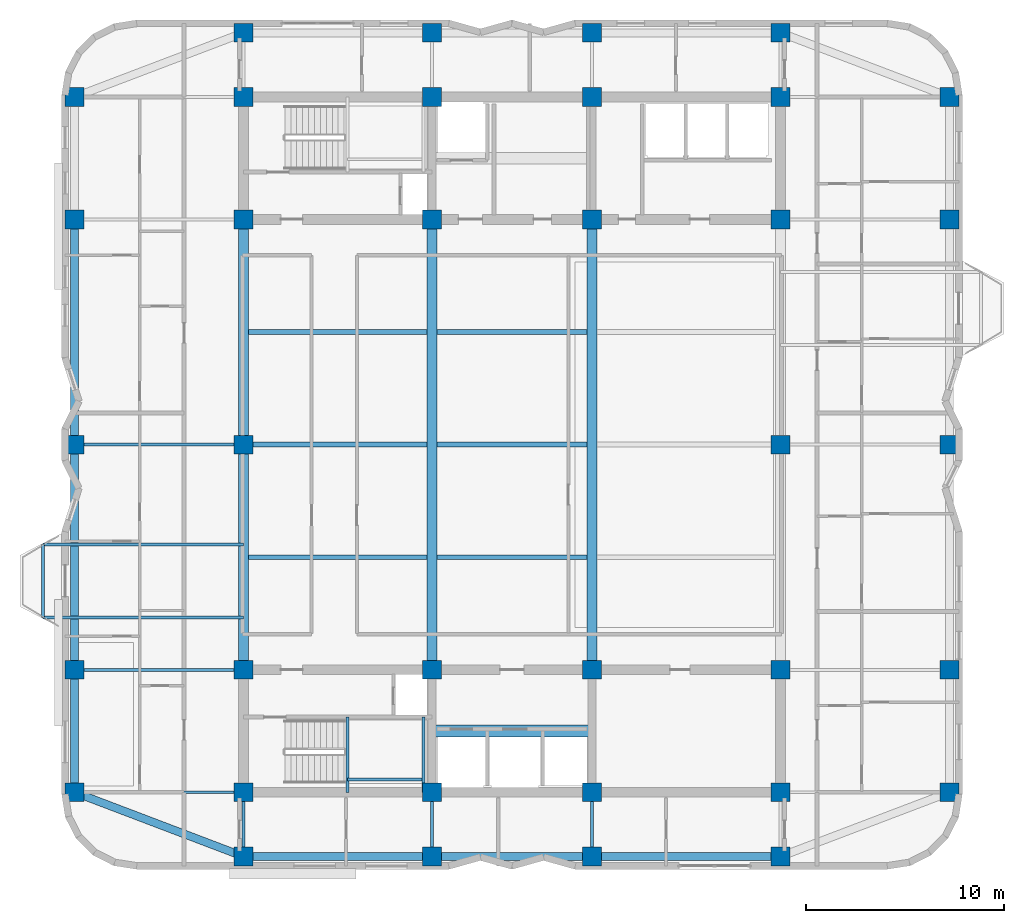
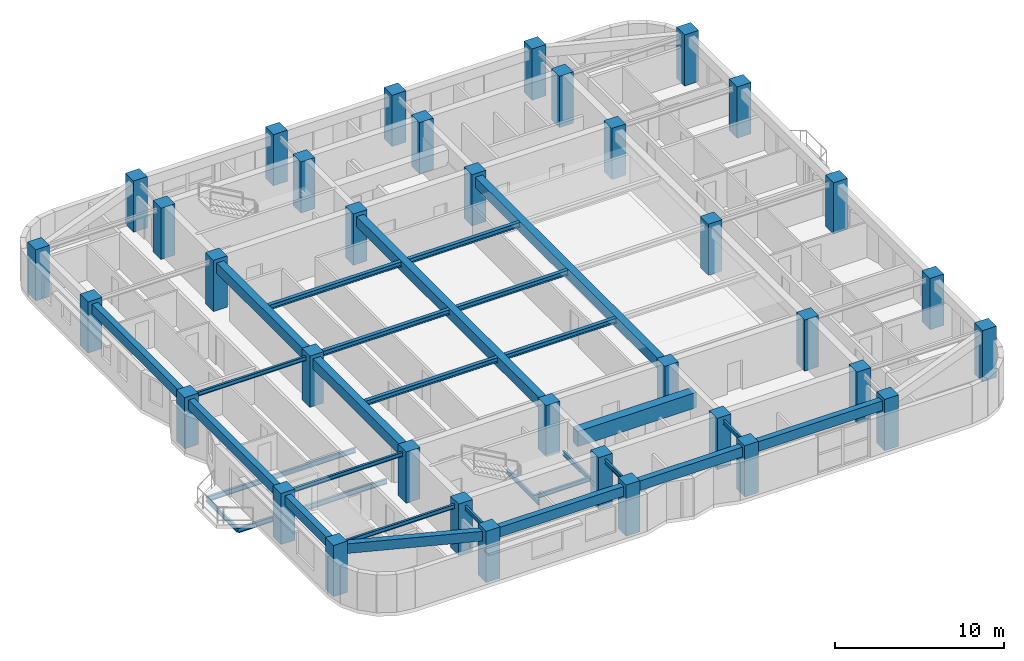
# One storey, part 1 of 12: 36 columns, 30 beams.
"""IFC4 building model written with IfcOpenShell, lengths in metres."""

from ifc_helpers import new_model, si_unit, direction, frame, origin, origin_2d, place, context, subcontext, project, spatial, rectangle, i_section, extrude, material, material_profile, profile_set, type_object, element, save


model = new_model("IFC4")

# Units and contexts
model_context = context("Model", 3, precision=1e-05, world=origin(), true_north=direction((0.0, 1.0)))
body_context = subcontext(model_context, "Body", "Model", "MODEL_VIEW")
ifc_project = project(units=[si_unit("LENGTHUNIT", "METRE"), si_unit("AREAUNIT", "SQUARE_METRE"), si_unit("VOLUMEUNIT", "CUBIC_METRE"), si_unit("PLANEANGLEUNIT", "RADIAN"), si_unit("MASSUNIT", "GRAM", prefix="KILO")], contexts=[model_context])

# Site, building, storey
site_placement = place(None, origin())
site = spatial("IfcSite", under=ifc_project, at=site_placement, CompositionType="ELEMENT")
building_placement = place(site_placement, origin())
building = spatial("IfcBuilding", under=site, at=building_placement, Name="Svetorya Sky Lyceum", CompositionType="ELEMENT")
storey_placement = place(building_placement, frame((0.0, 0.0, 177.39990234375)))
storey = spatial("IfcBuildingStorey", under=building, at=storey_placement, Name="L44", CompositionType="ELEMENT", Elevation=177.39990234375)

# Columns
ifc_material_1 = material(Name="Concrete C50/60", Category="concrete")
ifc_material_profile_1 = material_profile(ifc_material_1, rectangle(XDim=0.949951171875, YDim=0.949951171875, at=origin_2d()), Name="RC COL 950x950")
ifc_profile_set_1 = profile_set([ifc_material_profile_1], Name="Concrete C50/60")
column_type = type_object("IfcColumnType", Name="COL-RC-950", PredefinedType="COLUMN", material=ifc_profile_set_1)
for number, where, z_axis, x_axis, name in (
    (1, (25.60009765625, 10.60009765625, 0.0), (0.0, 0.0, 1.0), (1.0, 0.0, 0.0), "L44 Core Column CS-11"),
    (2, (25.60009765625, 16.800048828125, 0.0), (0.0, 0.0, 1.0), (1.0, 0.0, 0.0), "L44 Core Column CS-12"),
    (3, (35.14990234375, 10.60009765625, 0.0), (0.0, 0.0, 1.0), (1.0, 0.0, 0.0), "L44 Core Column CS-21"),
    (4, (35.14990234375, 16.800048828125, 0.0), (0.0, 0.0, 1.0), (1.0, 0.0, 0.0), "L44 Core Column CS-22"),
    (5, (43.25, 10.60009765625, 0.0), (0.0, 0.0, 1.0), (1.0, 0.0, 0.0), "L44 Core Column CS-31"),
    (6, (43.25, 16.800048828125, 0.0), (0.0, 0.0, 1.0), (1.0, 0.0, 0.0), "L44 Core Column CS-32"),
    (7, (52.800048828125, 10.60009765625, 0.0), (0.0, 0.0, 1.0), (1.0, 0.0, 0.0), "L44 Core Column CS-41"),
    (8, (52.800048828125, 16.800048828125, 0.0), (0.0, 0.0, 1.0), (1.0, 0.0, 0.0), "L44 Core Column CS-42"),
    (9, (25.60009765625, 39.60009765625, 0.0), (0.0, 0.0, 1.0), (1.0, 0.0, 0.0), "L44 Core Column CN-11"),
    (10, (25.60009765625, 45.800048828125, 0.0), (0.0, 0.0, 1.0), (1.0, 0.0, 0.0), "L44 Core Column CN-12"),
    (11, (35.14990234375, 39.60009765625, 0.0), (0.0, 0.0, 1.0), (1.0, 0.0, 0.0), "L44 Core Column CN-21"),
    (12, (35.14990234375, 45.800048828125, 0.0), (0.0, 0.0, 1.0), (1.0, 0.0, 0.0), "L44 Core Column CN-22"),
    (13, (43.25, 39.60009765625, 0.0), (0.0, 0.0, 1.0), (1.0, 0.0, 0.0), "L44 Core Column CN-31"),
    (14, (43.25, 45.800048828125, 0.0), (0.0, 0.0, 1.0), (1.0, 0.0, 0.0), "L44 Core Column CN-32"),
    (15, (52.800048828125, 39.60009765625, 0.0), (0.0, 0.0, 1.0), (1.0, 0.0, 0.0), "L44 Core Column CN-41"),
    (16, (52.800048828125, 45.800048828125, 0.0), (0.0, 0.0, 1.0), (1.0, 0.0, 0.0), "L44 Core Column CN-42"),
    (17, (25.60009765625, 28.199951171875, 0.0), (0.0, 0.0, 1.0), (1.0, 0.0, 0.0), "L44 Core Column CM-W"),
    (18, (52.800048828125, 28.199951171875, 0.0), (0.0, 0.0, 1.0), (1.0, 0.0, 0.0), "L44 Core Column CM-E"),
    (19, (25.60009765625, 7.35009765625, 0.0), (0.0, 0.0, 1.0), (1.0, 0.0, 0.0), "L44 Perimeter Column S1"),
    (20, (25.60009765625, 49.050048828125, 0.0), (0.0, 0.0, 1.0), (1.0, 0.0, 0.0), "L44 Perimeter Column N1"),
    (21, (35.14990234375, 7.35009765625, 0.0), (0.0, 0.0, 1.0), (1.0, 0.0, 0.0), "L44 Perimeter Column S2"),
    (22, (35.14990234375, 49.050048828125, 0.0), (0.0, 0.0, 1.0), (1.0, 0.0, 0.0), "L44 Perimeter Column N2"),
    (23, (43.25, 7.35009765625, 0.0), (0.0, 0.0, 1.0), (1.0, 0.0, 0.0), "L44 Perimeter Column S3"),
    (24, (43.25, 49.050048828125, 0.0), (0.0, 0.0, 1.0), (1.0, 0.0, 0.0), "L44 Perimeter Column N3"),
    (25, (52.800048828125, 7.35009765625, 0.0), (0.0, 0.0, 1.0), (1.0, 0.0, 0.0), "L44 Perimeter Column S4"),
    (26, (52.800048828125, 49.050048828125, 0.0), (0.0, 0.0, 1.0), (1.0, 0.0, 0.0), "L44 Perimeter Column N4"),
    (27, (17.050048828125, 10.60009765625, 0.0), (0.0, 0.0, 1.0), (1.0, 0.0, 0.0), "L44 Perimeter Column W1"),
    (28, (61.35009765625, 10.60009765625, 0.0), (0.0, 0.0, 1.0), (1.0, 0.0, 0.0), "L44 Perimeter Column E1"),
    (29, (17.050048828125, 16.800048828125, 0.0), (0.0, 0.0, 1.0), (1.0, 0.0, 0.0), "L44 Perimeter Column W2"),
    (30, (61.35009765625, 16.800048828125, 0.0), (0.0, 0.0, 1.0), (1.0, 0.0, 0.0), "L44 Perimeter Column E2"),
    (31, (17.050048828125, 28.199951171875, 0.0), (0.0, 0.0, 1.0), (1.0, 0.0, 0.0), "L44 Perimeter Column W3"),
    (32, (61.35009765625, 28.199951171875, 0.0), (0.0, 0.0, 1.0), (1.0, 0.0, 0.0), "L44 Perimeter Column E3"),
    (33, (17.050048828125, 39.60009765625, 0.0), (0.0, 0.0, 1.0), (1.0, 0.0, 0.0), "L44 Perimeter Column W4"),
    (34, (61.35009765625, 39.60009765625, 0.0), (0.0, 0.0, 1.0), (1.0, 0.0, 0.0), "L44 Perimeter Column E4"),
    (35, (17.050048828125, 45.800048828125, 0.0), (0.0, 0.0, 1.0), (1.0, 0.0, 0.0), "L44 Perimeter Column W5"),
    (36, (61.35009765625, 45.800048828125, 0.0), (0.0, 0.0, 1.0), (1.0, 0.0, 0.0), "L44 Perimeter Column E5"),
):
    element("IfcColumn", number, at=place(storey_placement, frame(where, z_axis=z_axis, x_axis=x_axis)), inside=storey, type_object=column_type, Name=name, PredefinedType="COLUMN", context=body_context, shape_type="SweptSolid", body=[
        extrude(rectangle(XDim=0.949951171875, YDim=0.949951171875, at=origin_2d()), origin(), (0.0, 0.0, 1.0), 3.7001953125),
    ])

# Beams
ifc_material_2 = material(Name="Concrete C60/75", Category="concrete")
ifc_material_profile_2 = material_profile(ifc_material_2, rectangle(XDim=0.60009765625, YDim=1.10009765625, at=origin_2d()), Name="RC COUPLING 600x1100")
ifc_profile_set_2 = profile_set([ifc_material_profile_2], Name="Concrete C60/75")
beam_type_1 = type_object("IfcBeamType", Name="BM-CPL-1100", PredefinedType="LINTEL", material=ifc_profile_set_2)
beam_1_placement = place(storey_placement, frame((35.14990234375, 13.699951171875, 2.89013671875), z_axis=(1.0, 0.0, 0.0), x_axis=(0.0, 1.0, 0.0)))
element("IfcBeam", 37, at=beam_1_placement, inside=storey, type_object=beam_type_1, Name="L44 SC Core Coupling Beam", PredefinedType="LINTEL", context=body_context, shape_type="SweptSolid", body=[
    extrude(rectangle(XDim=0.60009765625, YDim=1.10009765625, at=origin_2d()), origin(), (0.0, 0.0, 1.0), 8.10009765625),
])
ifc_material_profile_3 = material_profile(ifc_material_1, rectangle(XDim=0.5, YDim=0.75, at=origin_2d()), Name="RC BEAM 500x750")
ifc_profile_set_3 = profile_set([ifc_material_profile_3], Name="Concrete C50/60")
beam_type_2 = type_object("IfcBeamType", Name="BM-RC-750", PredefinedType="BEAM", material=ifc_profile_set_3)
beam_2_placement = place(storey_placement, frame((25.60009765625, 16.800048828125, 3.065185546875), z_axis=(0.0, 1.0, 0.0), x_axis=(-1.0, 0.0, 0.0)))
element("IfcBeam", 38, at=beam_2_placement, inside=storey, type_object=beam_type_2, Name="L44 Central Bay Primary Girder CG-1A", PredefinedType="BEAM", context=body_context, shape_type="SweptSolid", body=[
    extrude(rectangle(XDim=0.5, YDim=0.75, at=origin_2d()), origin(), (0.0, 0.0, 1.0), 11.39990234375),
])
beam_3_placement = place(storey_placement, frame((25.60009765625, 28.199951171875, 3.065185546875), z_axis=(0.0, 1.0, 0.0), x_axis=(-1.0, 0.0, 0.0)))
element("IfcBeam", 39, at=beam_3_placement, inside=storey, type_object=beam_type_2, Name="L44 Central Bay Primary Girder CG-1B", PredefinedType="BEAM", context=body_context, shape_type="SweptSolid", body=[
    extrude(rectangle(XDim=0.5, YDim=0.75, at=origin_2d()), origin(), (0.0, 0.0, 1.0), 11.400146484375),
])
for number, where, z_axis, x_axis, name in (
    (40, (35.14990234375, 16.800048828125, 3.065185546875), (0.0, 1.0, 0.0), (-1.0, 0.0, 0.0), "L44 Central Bay Primary Girder CG-2"),
    (41, (43.25, 16.800048828125, 3.065185546875), (0.0, 1.0, 0.0), (-1.0, 0.0, 0.0), "L44 Central Bay Primary Girder CG-3"),
):
    element("IfcBeam", number, at=place(storey_placement, frame(where, z_axis=z_axis, x_axis=x_axis)), inside=storey, type_object=beam_type_2, Name=name, PredefinedType="BEAM", context=body_context, shape_type="SweptSolid", body=[
        extrude(rectangle(XDim=0.5, YDim=0.75, at=origin_2d()), origin(), (0.0, 0.0, 1.0), 22.800048828125),
    ])
ifc_material_profile_4 = material_profile(ifc_material_1, rectangle(XDim=0.39990234375, YDim=0.699951171875, at=origin_2d()), Name="RC SPANDREL 400x700")
ifc_profile_set_4 = profile_set([ifc_material_profile_4], Name="Concrete C50/60")
beam_type_3 = type_object("IfcBeamType", Name="BM-SPN-700", PredefinedType="SPANDREL", material=ifc_profile_set_4)
beam_4_placement = place(storey_placement, frame((25.60009765625, 7.35009765625, 3.090087890625), z_axis=(1.0, 0.0, 0.0), x_axis=(0.0, 1.0, 0.0)))
element("IfcBeam", 42, at=beam_4_placement, inside=storey, type_object=beam_type_3, Name="L44 South Spandrel 1", PredefinedType="SPANDREL", context=body_context, shape_type="SweptSolid", body=[
    extrude(rectangle(XDim=0.39990234375, YDim=0.699951171875, at=origin_2d()), origin(), (0.0, 0.0, 1.0), 9.5498046875),
])
beam_5_placement = place(storey_placement, frame((35.14990234375, 7.35009765625, 3.090087890625), z_axis=(1.0, 0.0, 0.0), x_axis=(0.0, 1.0, 0.0)))
element("IfcBeam", 43, at=beam_5_placement, inside=storey, type_object=beam_type_3, Name="L44 South Spandrel 2", PredefinedType="SPANDREL", context=body_context, shape_type="SweptSolid", body=[
    extrude(rectangle(XDim=0.39990234375, YDim=0.699951171875, at=origin_2d()), origin(), (0.0, 0.0, 1.0), 8.10009765625),
])
beam_6_placement = place(storey_placement, frame((43.25, 7.35009765625, 3.090087890625), z_axis=(1.0, 0.0, 0.0), x_axis=(0.0, 1.0, 0.0)))
element("IfcBeam", 44, at=beam_6_placement, inside=storey, type_object=beam_type_3, Name="L44 South Spandrel 3", PredefinedType="SPANDREL", context=body_context, shape_type="SweptSolid", body=[
    extrude(rectangle(XDim=0.39990234375, YDim=0.699951171875, at=origin_2d()), origin(), (0.0, 0.0, 1.0), 9.550048828125),
])
beam_7_placement = place(storey_placement, frame((25.60009765625, 7.35009765625, 3.090087890625), z_axis=(-0.934747947367, 0.355311518099, 0.0), x_axis=(-0.355311518099, -0.934747947367, 0.0)))
element("IfcBeam", 45, at=beam_7_placement, inside=storey, type_object=beam_type_3, Name="L44 Corner Spandrel 1", PredefinedType="SPANDREL", context=body_context, shape_type="SweptSolid", body=[
    extrude(rectangle(XDim=0.39990234375, YDim=0.699951171875, at=origin_2d()), origin(), (0.0, 0.0, 1.0), 9.14697265625),
])
beam_8_placement = place(storey_placement, frame((17.050048828125, 10.60009765625, 3.090087890625), z_axis=(0.0, 1.0, 0.0), x_axis=(-1.0, 0.0, 0.0)))
element("IfcBeam", 46, at=beam_8_placement, inside=storey, type_object=beam_type_3, Name="L44 West Spandrel 1", PredefinedType="SPANDREL", context=body_context, shape_type="SweptSolid", body=[
    extrude(rectangle(XDim=0.39990234375, YDim=0.699951171875, at=origin_2d()), origin(), (0.0, 0.0, 1.0), 6.199951171875),
])
beam_9_placement = place(storey_placement, frame((17.050048828125, 16.800048828125, 3.090087890625), z_axis=(0.0, 1.0, 0.0), x_axis=(-1.0, 0.0, 0.0)))
element("IfcBeam", 47, at=beam_9_placement, inside=storey, type_object=beam_type_3, Name="L44 West Spandrel 2", PredefinedType="SPANDREL", context=body_context, shape_type="SweptSolid", body=[
    extrude(rectangle(XDim=0.39990234375, YDim=0.699951171875, at=origin_2d()), origin(), (0.0, 0.0, 1.0), 11.39990234375),
])
beam_10_placement = place(storey_placement, frame((17.050048828125, 28.199951171875, 3.090087890625), z_axis=(0.0, 1.0, 0.0), x_axis=(-1.0, 0.0, 0.0)))
element("IfcBeam", 48, at=beam_10_placement, inside=storey, type_object=beam_type_3, Name="L44 West Spandrel 3", PredefinedType="SPANDREL", context=body_context, shape_type="SweptSolid", body=[
    extrude(rectangle(XDim=0.39990234375, YDim=0.699951171875, at=origin_2d()), origin(), (0.0, 0.0, 1.0), 11.400146484375),
])
ifc_material_3 = material(Name="Steel S355", Category="steel")
ifc_material_profile_5 = material_profile(ifc_material_3, i_section(OverallWidth=0.14990234375, OverallDepth=0.299072265625, WebThickness=0.006591796875, FlangeThickness=0.010498046875, at=origin_2d()), Name="GOST 30B2")
ifc_profile_set_5 = profile_set([ifc_material_profile_5], Name="Steel S355")
beam_type_4 = type_object("IfcBeamType", Name="BM-STL-30B2", PredefinedType="JOIST", material=ifc_profile_set_5)
beam_11_placement = place(storey_placement, frame((15.449951171875, 19.449951171875, -0.434326171875), z_axis=(0.0, 1.0, 0.0), x_axis=(-1.0, 0.0, 0.0)))
element("IfcBeam", 49, at=beam_11_placement, inside=storey, type_object=beam_type_4, Name="L44 Balcony Edge Tie BAL-W1", PredefinedType="JOIST", context=body_context, shape_type="SweptSolid", body=[
    extrude(i_section(OverallWidth=0.14990234375, OverallDepth=0.299072265625, WebThickness=0.006591796875, FlangeThickness=0.010498046875, at=origin_2d()), origin(), (0.0, 0.0, 1.0), 3.699951171875),
])
for number, where, z_axis, x_axis, name in (
    (50, (17.050048828125, 10.60009765625, 3.29052734375), (1.0, 0.0, 0.0), (0.0, 1.0, 0.0), "L44 West Wing Floor Joist W1"),
    (51, (17.050048828125, 16.800048828125, 3.29052734375), (1.0, 0.0, 0.0), (0.0, 1.0, 0.0), "L44 West Wing Floor Joist W2"),
    (52, (17.050048828125, 28.199951171875, 3.29052734375), (1.0, 0.0, 0.0), (0.0, 1.0, 0.0), "L44 West Wing Floor Joist W3"),
):
    element("IfcBeam", number, at=place(storey_placement, frame(where, z_axis=z_axis, x_axis=x_axis)), inside=storey, type_object=beam_type_4, Name=name, PredefinedType="JOIST", context=body_context, shape_type="SweptSolid", body=[
        extrude(i_section(OverallWidth=0.14990234375, OverallDepth=0.299072265625, WebThickness=0.006591796875, FlangeThickness=0.010498046875, at=origin_2d()), origin(), (0.0, 0.0, 1.0), 8.550048828125),
    ])
for number, where, z_axis, x_axis, name in (
    (53, (25.60009765625, 7.35009765625, 3.29052734375), (0.0, 1.0, 0.0), (-1.0, 0.0, 0.0), "L44 South Bay Floor Girder S1"),
    (54, (35.14990234375, 7.35009765625, 3.29052734375), (0.0, 1.0, 0.0), (-1.0, 0.0, 0.0), "L44 South Bay Floor Girder S2"),
    (55, (43.25, 7.35009765625, 3.29052734375), (0.0, 1.0, 0.0), (-1.0, 0.0, 0.0), "L44 South Bay Floor Girder S3"),
):
    element("IfcBeam", number, at=place(storey_placement, frame(where, z_axis=z_axis, x_axis=x_axis)), inside=storey, type_object=beam_type_4, Name=name, PredefinedType="JOIST", context=body_context, shape_type="SweptSolid", body=[
        extrude(i_section(OverallWidth=0.14990234375, OverallDepth=0.299072265625, WebThickness=0.006591796875, FlangeThickness=0.010498046875, at=origin_2d()), origin(), (0.0, 0.0, 1.0), 3.25),
    ])
for number, where, z_axis, x_axis, name in (
    (56, (30.8798828125, 10.60009765625, 1.50048828125), (0.0, 1.0, 0.0), (-1.0, 0.0, 0.0), "L44 Stair ST-S Half-Landing Support Beam 50.1"),
    (57, (34.719970703125, 10.60009765625, 1.50048828125), (0.0, 1.0, 0.0), (-1.0, 0.0, 0.0), "L44 Stair ST-S Half-Landing Support Beam 50.2"),
):
    element("IfcBeam", number, at=place(storey_placement, frame(where, z_axis=z_axis, x_axis=x_axis)), inside=storey, type_object=beam_type_4, Name=name, PredefinedType="JOIST", context=body_context, shape_type="SweptSolid", body=[
        extrude(i_section(OverallWidth=0.14990234375, OverallDepth=0.299072265625, WebThickness=0.006591796875, FlangeThickness=0.010498046875, at=origin_2d()), origin(), (0.0, 0.0, 1.0), 3.7998046875),
    ])
beam_12_placement = place(storey_placement, frame((30.8798828125, 11.25, 1.50048828125), z_axis=(1.0, 0.0, 0.0), x_axis=(0.0, 1.0, 0.0)))
element("IfcBeam", 58, at=beam_12_placement, inside=storey, type_object=beam_type_4, Name="L44 Stair ST-S Half-Landing Cross Tie 50", PredefinedType="JOIST", context=body_context, shape_type="SweptSolid", body=[
    extrude(i_section(OverallWidth=0.14990234375, OverallDepth=0.299072265625, WebThickness=0.006591796875, FlangeThickness=0.010498046875, at=origin_2d()), origin(), (0.0, 0.0, 1.0), 3.840087890625),
])
ifc_material_profile_6 = material_profile(ifc_material_3, i_section(OverallWidth=0.155029296875, OverallDepth=0.34912109375, WebThickness=0.007080078125, FlangeThickness=0.011474609375, at=origin_2d()), Name="GOST 35B2")
ifc_profile_set_6 = profile_set([ifc_material_profile_6], Name="Steel S355")
beam_type_5 = type_object("IfcBeamType", Name="BM-STL-35B2", PredefinedType="JOIST", material=ifc_profile_set_6)
for number, where, z_axis, x_axis, name in (
    (59, (25.60009765625, 19.449951171875, -0.434326171875), (-1.0, 0.0, 0.0), (0.0, -1.0, 0.0), "L44 Balcony Cantilever Beam BAL-W1-1"),
    (60, (25.60009765625, 23.14990234375, -0.434326171875), (-1.0, 0.0, 0.0), (0.0, -1.0, 0.0), "L44 Balcony Cantilever Beam BAL-W1-2"),
):
    element("IfcBeam", number, at=place(storey_placement, frame(where, z_axis=z_axis, x_axis=x_axis)), inside=storey, type_object=beam_type_5, Name=name, PredefinedType="JOIST", context=body_context, shape_type="SweptSolid", body=[
        extrude(i_section(OverallWidth=0.155029296875, OverallDepth=0.34912109375, WebThickness=0.007080078125, FlangeThickness=0.011474609375, at=origin_2d()), origin(), (0.0, 0.0, 1.0), 10.150146484375),
    ])
ifc_material_profile_7 = material_profile(ifc_material_3, i_section(OverallWidth=0.25, OverallDepth=0.345947265625, WebThickness=0.009521484375, FlangeThickness=0.014404296875, at=origin_2d()), Name="GOST 35Sh2")
ifc_profile_set_7 = profile_set([ifc_material_profile_7], Name="Steel S355")
beam_type_6 = type_object("IfcBeamType", Name="BM-STL-35SH2", PredefinedType="BEAM", material=ifc_profile_set_7)
beam_13_placement = place(storey_placement, frame((25.85009765625, 22.5, 3.26708984375), z_axis=(1.0, 0.0, 0.0), x_axis=(0.0, 1.0, 0.0)))
element("IfcBeam", 61, at=beam_13_placement, inside=storey, type_object=beam_type_6, Name="L44 Central Floor Joist CJ-1.1", PredefinedType="BEAM", context=body_context, shape_type="SweptSolid", body=[
    extrude(i_section(OverallWidth=0.25, OverallDepth=0.345947265625, WebThickness=0.009521484375, FlangeThickness=0.014404296875, at=origin_2d()), origin(), (0.0, 0.0, 1.0), 9.0498046875),
])
beam_14_placement = place(storey_placement, frame((35.39990234375, 22.5, 3.26708984375), z_axis=(1.0, 0.0, 0.0), x_axis=(0.0, 1.0, 0.0)))
element("IfcBeam", 62, at=beam_14_placement, inside=storey, type_object=beam_type_6, Name="L44 Central Floor Joist CJ-1.2", PredefinedType="BEAM", context=body_context, shape_type="SweptSolid", body=[
    extrude(i_section(OverallWidth=0.25, OverallDepth=0.345947265625, WebThickness=0.009521484375, FlangeThickness=0.014404296875, at=origin_2d()), origin(), (0.0, 0.0, 1.0), 7.60009765625),
])
beam_15_placement = place(storey_placement, frame((25.85009765625, 28.199951171875, 3.26708984375), z_axis=(1.0, 0.0, 0.0), x_axis=(0.0, 1.0, 0.0)))
element("IfcBeam", 63, at=beam_15_placement, inside=storey, type_object=beam_type_6, Name="L44 Central Floor Joist CJ-2.1", PredefinedType="BEAM", context=body_context, shape_type="SweptSolid", body=[
    extrude(i_section(OverallWidth=0.25, OverallDepth=0.345947265625, WebThickness=0.009521484375, FlangeThickness=0.014404296875, at=origin_2d()), origin(), (0.0, 0.0, 1.0), 9.0498046875),
])
beam_16_placement = place(storey_placement, frame((35.39990234375, 28.199951171875, 3.26708984375), z_axis=(1.0, 0.0, 0.0), x_axis=(0.0, 1.0, 0.0)))
element("IfcBeam", 64, at=beam_16_placement, inside=storey, type_object=beam_type_6, Name="L44 Central Floor Joist CJ-2.2", PredefinedType="BEAM", context=body_context, shape_type="SweptSolid", body=[
    extrude(i_section(OverallWidth=0.25, OverallDepth=0.345947265625, WebThickness=0.009521484375, FlangeThickness=0.014404296875, at=origin_2d()), origin(), (0.0, 0.0, 1.0), 7.60009765625),
])
beam_17_placement = place(storey_placement, frame((25.85009765625, 33.89990234375, 3.26708984375), z_axis=(1.0, 0.0, 0.0), x_axis=(0.0, 1.0, 0.0)))
element("IfcBeam", 65, at=beam_17_placement, inside=storey, type_object=beam_type_6, Name="L44 Central Floor Joist CJ-3.1", PredefinedType="BEAM", context=body_context, shape_type="SweptSolid", body=[
    extrude(i_section(OverallWidth=0.25, OverallDepth=0.345947265625, WebThickness=0.009521484375, FlangeThickness=0.014404296875, at=origin_2d()), origin(), (0.0, 0.0, 1.0), 9.0498046875),
])
beam_18_placement = place(storey_placement, frame((35.39990234375, 33.89990234375, 3.26708984375), z_axis=(1.0, 0.0, 0.0), x_axis=(0.0, 1.0, 0.0)))
element("IfcBeam", 66, at=beam_18_placement, inside=storey, type_object=beam_type_6, Name="L44 Central Floor Joist CJ-3.2", PredefinedType="BEAM", context=body_context, shape_type="SweptSolid", body=[
    extrude(i_section(OverallWidth=0.25, OverallDepth=0.345947265625, WebThickness=0.009521484375, FlangeThickness=0.014404296875, at=origin_2d()), origin(), (0.0, 0.0, 1.0), 7.60009765625),
])

save(model, "model.ifc")
